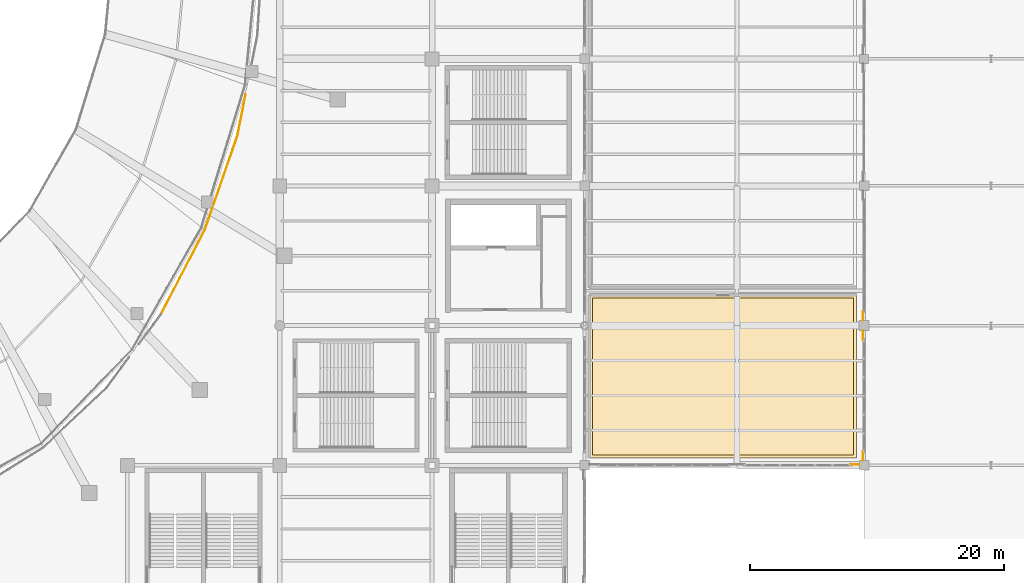
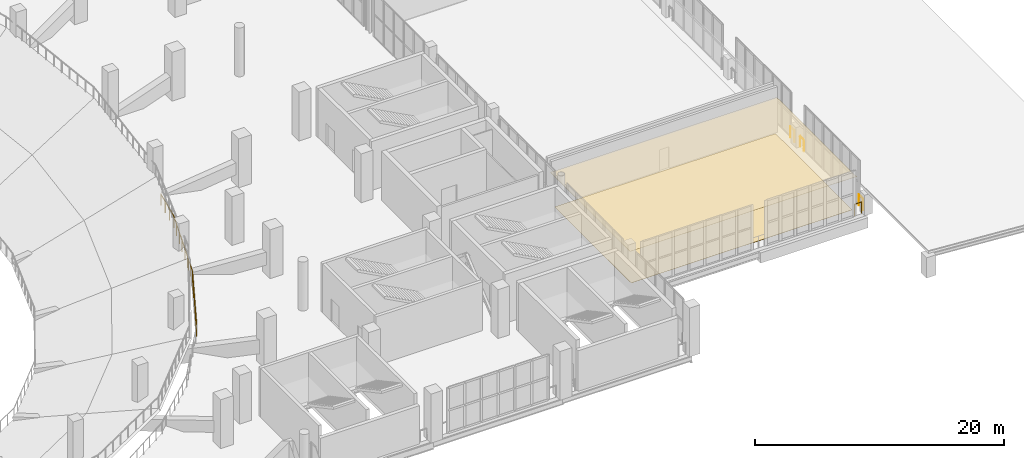
# One storey, part 132 of 136: 6 railings, 2 coverings.
"""IFC4 building model written with IfcOpenShell, lengths in metres."""

from ifc_helpers import new_model, si_unit, direction, frame, origin, origin_2d, place, context, subcontext, project, spatial, polyline, circle, outline, extrude, material, layer, layer_set, type_object, element, save


model = new_model("IFC4")

# Units and contexts
model_context = context("Model", 3, precision=1e-05, world=origin(), true_north=direction((0.0, 1.0)))
body_context = subcontext(model_context, "Body", "Model", "MODEL_VIEW")
ifc_project = project(units=[si_unit("LENGTHUNIT", "METRE"), si_unit("AREAUNIT", "SQUARE_METRE"), si_unit("VOLUMEUNIT", "CUBIC_METRE"), si_unit("PLANEANGLEUNIT", "RADIAN"), si_unit("MASSUNIT", "GRAM", prefix="KILO")], contexts=[model_context])

# Site, building, storey
site_placement = place(None, origin())
site = spatial("IfcSite", under=ifc_project, at=site_placement, CompositionType="ELEMENT")
building_placement = place(site_placement, origin())
building = spatial("IfcBuilding", under=site, at=building_placement, Name="Brinegate Civic Arena", CompositionType="ELEMENT")
storey_placement = place(building_placement, frame((0.0, 0.0, 5.39990234375)))
storey = spatial("IfcBuildingStorey", under=building, at=storey_placement, Name="L01", CompositionType="ELEMENT", Elevation=5.39990234375)

# Coverings
ifc_material_1 = material(Name="Acoustic perforated aluminium ceiling", Category="aluminium")
ifc_layer_1 = layer(ifc_material_1, 0.01806640625, Name="Acoustic perforated aluminium ceiling")
ifc_layer_set_1 = layer_set([ifc_layer_1], Name="Acoustic perforated aluminium ceiling")
covering_type_1 = type_object("IfcCoveringType", Name="CEILING-MOISTURE-18", PredefinedType="CEILING", material=ifc_layer_set_1)
covering_1_placement = place(storey_placement, frame((0.0, 0.0, 3.33203125)))
element("IfcCovering", 1, at=covering_1_placement, inside=storey, type_object=covering_type_1, Name="Acoustic Ceiling L01-010", PredefinedType="CEILING", context=body_context, shape_type="SweptSolid", body=[
    extrude(outline(polyline([(189.404052734375, 33.419921875), (189.406005859375, 33.4189453125), (189.407958984375, 33.41796875), (189.408935546875, 33.41796875), (189.410888671875, 33.4169921875), (189.4130859375, 33.4150390625), (189.4140625, 33.4140625), (189.4150390625, 33.4130859375), (189.4169921875, 33.410888671875), (189.41796875, 33.408935546875), (189.41796875, 33.407958984375), (189.4189453125, 33.406005859375), (189.419921875, 33.404052734375), (189.419921875, 33.402099609375), (189.419921875, 33.39990234375), (189.419921875, 20.60009765625), (189.419921875, 20.597900390625), (189.419921875, 20.595947265625), (189.4189453125, 20.593994140625), (189.41796875, 20.592041015625), (189.41796875, 20.591064453125), (189.4169921875, 20.589111328125), (189.4150390625, 20.5869140625), (189.4140625, 20.5859375), (189.4130859375, 20.5849609375), (189.410888671875, 20.5830078125), (189.408935546875, 20.58203125), (189.407958984375, 20.58203125), (189.406005859375, 20.5810546875), (189.404052734375, 20.580078125), (189.402099609375, 20.580078125), (189.39990234375, 20.580078125), (168.39990234375, 20.580078125), (168.39794921875, 20.580078125), (168.39599609375, 20.580078125), (168.39404296875, 20.5810546875), (168.39208984375, 20.58203125), (168.39111328125, 20.58203125), (168.388916015625, 20.5830078125), (168.386962890625, 20.5849609375), (168.385986328125, 20.5859375), (168.385009765625, 20.5869140625), (168.383056640625, 20.589111328125), (168.382080078125, 20.591064453125), (168.382080078125, 20.592041015625), (168.381103515625, 20.593994140625), (168.3798828125, 20.595947265625), (168.3798828125, 20.597900390625), (168.3798828125, 20.60009765625), (168.3798828125, 33.39990234375), (168.3798828125, 33.402099609375), (168.3798828125, 33.404052734375), (168.381103515625, 33.406005859375), (168.382080078125, 33.407958984375), (168.382080078125, 33.408935546875), (168.383056640625, 33.410888671875), (168.385009765625, 33.4130859375), (168.385986328125, 33.4140625), (168.386962890625, 33.4150390625), (168.388916015625, 33.4169921875), (168.39111328125, 33.41796875), (168.39208984375, 33.41796875), (168.39404296875, 33.4189453125), (168.39599609375, 33.419921875), (168.39794921875, 33.419921875), (168.39990234375, 33.419921875), (189.39990234375, 33.419921875), (189.402099609375, 33.419921875), (189.404052734375, 33.419921875)])), origin(), (0.0, 0.0, 1.0), 0.01806640625),
])
ifc_material_2 = material(Name="Polished coral terrazzo flooring")
ifc_layer_2 = layer(ifc_material_2, 0.013916015625, Name="Polished coral terrazzo flooring")
ifc_layer_set_2 = layer_set([ifc_layer_2], Name="Polished coral terrazzo flooring")
covering_type_2 = type_object("IfcCoveringType", Name="FLOORING-ACOUSTIC-14", PredefinedType="FLOORING", material=ifc_layer_set_2)
covering_2_placement = place(storey_placement, origin())
element("IfcCovering", 2, at=covering_2_placement, inside=storey, type_object=covering_type_2, Name="Flooring L01-010", PredefinedType="FLOORING", context=body_context, shape_type="SweptSolid", body=[
    extrude(outline(polyline([(168.6298828125, 20.830078125), (168.6298828125, 33.169921875), (189.169921875, 33.169921875), (189.169921875, 20.830078125), (168.6298828125, 20.830078125)])), origin(), (0.0, 0.0, 1.0), 0.01416015625),
])

# Railings
ifc_material_3 = material(Name="Architectural stainless steel balustrade", Category="steel")
railing_type = type_object("IfcRailingType", Name="RAIL-VOID-BALUSTRADE-1120", PredefinedType="BALUSTRADE", material=ifc_material_3)
for number, where, name in (
    (3, (189.929931640625, 32.115966796875, 0.0), "Deck Edge Balustrade L01-054"),
    (4, (189.929931640625, 30.580078125, 0.0), "Deck Edge Balustrade L01-055"),
):
    element("IfcRailing", number, at=place(storey_placement, frame(where)), inside=storey, type_object=railing_type, Name=name, PredefinedType="BALUSTRADE", context=body_context, shape_type="SweptSolid", body=[
        extrude(circle(Radius=0.02392578125, at=origin_2d()), frame((0.0, -0.00146484375, 1.09619140625), z_axis=(0.0, -1.0, 0.0), x_axis=(1.0, 0.0, 0.0)), (0.0, 0.0, 1.0), 0.693115234375),
        extrude(circle(Radius=0.02099609375, at=origin_2d()), origin(), (0.0, 0.0, 1.0), 1.070068359375),
        extrude(circle(Radius=0.02099609375, at=origin_2d()), frame((0.0, -0.696044921875, 0.0)), (0.0, 0.0, 1.0), 1.070068359375),
    ])
railing_1_placement = place(storey_placement, frame((189.929931640625, 21.080078125, 0.0)))
element("IfcRailing", 5, at=railing_1_placement, inside=storey, type_object=railing_type, Name="Deck Edge Balustrade L01-056", PredefinedType="BALUSTRADE", context=body_context, shape_type="SweptSolid", body=[
    extrude(circle(Radius=0.02392578125, at=origin_2d()), frame((0.0, -0.00146484375, 1.09619140625), z_axis=(0.0, -1.0, 0.0), x_axis=(1.0, 0.0, 0.0)), (0.0, 0.0, 1.0), 0.68212890625),
    extrude(circle(Radius=0.02099609375, at=origin_2d()), origin(), (0.0, 0.0, 1.0), 1.070068359375),
    extrude(circle(Radius=0.02099609375, at=origin_2d()), frame((0.0, -0.68505859375, 0.0)), (0.0, 0.0, 1.0), 1.070068359375),
])
railing_2_placement = place(storey_placement, frame((189.60498046875, 20.070068359375, 0.0)))
element("IfcRailing", 6, at=railing_2_placement, inside=storey, type_object=railing_type, Name="Deck Edge Balustrade L01-057", PredefinedType="BALUSTRADE", context=body_context, shape_type="SweptSolid", body=[
    extrude(circle(Radius=0.02392578125, at=origin_2d()), frame((-0.00146484375, 0.0, 1.09619140625), z_axis=(-1.0, 0.0, 0.0), x_axis=(0.0, -1.0, 0.0)), (0.0, 0.0, 1.0), 0.68212890625),
    extrude(circle(Radius=0.02099609375, at=origin_2d()), origin(), (0.0, 0.0, 1.0), 1.070068359375),
    extrude(circle(Radius=0.02099609375, at=origin_2d()), frame((-0.68505859375, 0.0, 0.0)), (0.0, 0.0, 1.0), 1.070068359375),
])
railing_3_placement = place(storey_placement, frame((134.637939453125, 31.8759765625, 0.0)))
element("IfcRailing", 7, at=railing_3_placement, inside=storey, type_object=railing_type, Name="Deck Edge Balustrade L01-092", PredefinedType="BALUSTRADE", context=body_context, shape_type="SweptSolid", body=[
    extrude(circle(Radius=0.02392578125, at=origin_2d()), frame((0.000732421875, 0.001220703125, 1.09619140625), z_axis=(0.460850089638, 0.887477996843, 0.0), x_axis=(-0.887477996843, 0.460850089638, 0.0)), (0.0, 0.0, 1.0), 7.53759765625),
    extrude(circle(Radius=0.02392578125, at=origin_2d()), frame((3.4755859375, 6.693603515625, 1.09619140625), z_axis=(0.327162237402, 0.944968184871, 0.0), x_axis=(-0.944968184871, 0.327162237402, 0.0)), (0.0, 0.0, 1.0), 1.781982421875),
    extrude(circle(Radius=0.02099609375, at=origin_2d()), origin(), (0.0, 0.0, 1.0), 1.070068359375),
    extrude(circle(Radius=0.02099609375, at=origin_2d()), frame((0.496337890625, 0.9560546875, 0.0)), (0.0, 0.0, 1.0), 1.070068359375),
    extrude(circle(Radius=0.02099609375, at=origin_2d()), frame((0.992919921875, 1.912109375, 0.0)), (0.0, 0.0, 1.0), 1.070068359375),
    extrude(circle(Radius=0.02099609375, at=origin_2d()), frame((1.4892578125, 2.8681640625, 0.0)), (0.0, 0.0, 1.0), 1.070068359375),
    extrude(circle(Radius=0.02099609375, at=origin_2d()), frame((1.98583984375, 3.823974609375, 0.0)), (0.0, 0.0, 1.0), 1.070068359375),
    extrude(circle(Radius=0.02099609375, at=origin_2d()), frame((2.482177734375, 4.780029296875, 0.0)), (0.0, 0.0, 1.0), 1.070068359375),
    extrude(circle(Radius=0.02099609375, at=origin_2d()), frame((2.978759765625, 5.736083984375, 0.0)), (0.0, 0.0, 1.0), 1.070068359375),
    extrude(circle(Radius=0.02099609375, at=origin_2d()), frame((3.47509765625, 6.692138671875, 0.0)), (0.0, 0.0, 1.0), 1.070068359375),
    extrude(circle(Radius=0.02099609375, at=origin_2d()), frame((3.76708984375, 7.53564453125, 0.0)), (0.0, 0.0, 1.0), 1.070068359375),
    extrude(circle(Radius=0.02099609375, at=origin_2d()), frame((4.05908203125, 8.37890625, 0.0)), (0.0, 0.0, 1.0), 1.070068359375),
])
railing_4_placement = place(storey_placement, frame((138.805908203125, 40.570068359375, 0.0)))
element("IfcRailing", 8, at=railing_4_placement, inside=storey, type_object=railing_type, Name="Deck Edge Balustrade L01-093", PredefinedType="BALUSTRADE", context=body_context, shape_type="SweptSolid", body=[
    extrude(circle(Radius=0.02392578125, at=origin_2d()), frame((0.00048828125, 0.00146484375, 1.09619140625), z_axis=(0.326796479955, 0.945094736356, 0.0), x_axis=(-0.945094736356, 0.326796479955, 0.0)), (0.0, 0.0, 1.0), 5.710693359375),
    extrude(circle(Radius=0.02392578125, at=origin_2d()), frame((1.867431640625, 5.4013671875, 1.09619140625), z_axis=(0.195006756209, 0.980801898975, 0.0), x_axis=(-0.980801898975, 0.195006756209, 0.0)), (0.0, 0.0, 1.0), 3.29833984375),
    extrude(circle(Radius=0.02099609375, at=origin_2d()), origin(), (0.0, 0.0, 1.0), 1.070068359375),
    extrude(circle(Radius=0.02099609375, at=origin_2d()), frame((0.37353515625, 1.080078125, 0.0)), (0.0, 0.0, 1.0), 1.070068359375),
    extrude(circle(Radius=0.02099609375, at=origin_2d()), frame((0.746826171875, 2.159912109375, 0.0)), (0.0, 0.0, 1.0), 1.070068359375),
    extrude(circle(Radius=0.02099609375, at=origin_2d()), frame((1.120361328125, 3.239990234375, 0.0)), (0.0, 0.0, 1.0), 1.070068359375),
    extrude(circle(Radius=0.02099609375, at=origin_2d()), frame((1.49365234375, 4.31982421875, 0.0)), (0.0, 0.0, 1.0), 1.070068359375),
    extrude(circle(Radius=0.02099609375, at=origin_2d()), frame((1.8671875, 5.39990234375, 0.0)), (0.0, 0.0, 1.0), 1.070068359375),
    extrude(circle(Radius=0.02099609375, at=origin_2d()), frame((2.081787109375, 6.479248046875, 0.0)), (0.0, 0.0, 1.0), 1.070068359375),
    extrude(circle(Radius=0.02099609375, at=origin_2d()), frame((2.29638671875, 7.55859375, 0.0)), (0.0, 0.0, 1.0), 1.070068359375),
    extrude(circle(Radius=0.02099609375, at=origin_2d()), frame((2.510986328125, 8.637939453125, 0.0)), (0.0, 0.0, 1.0), 1.070068359375),
])

save(model, "model.ifc")
